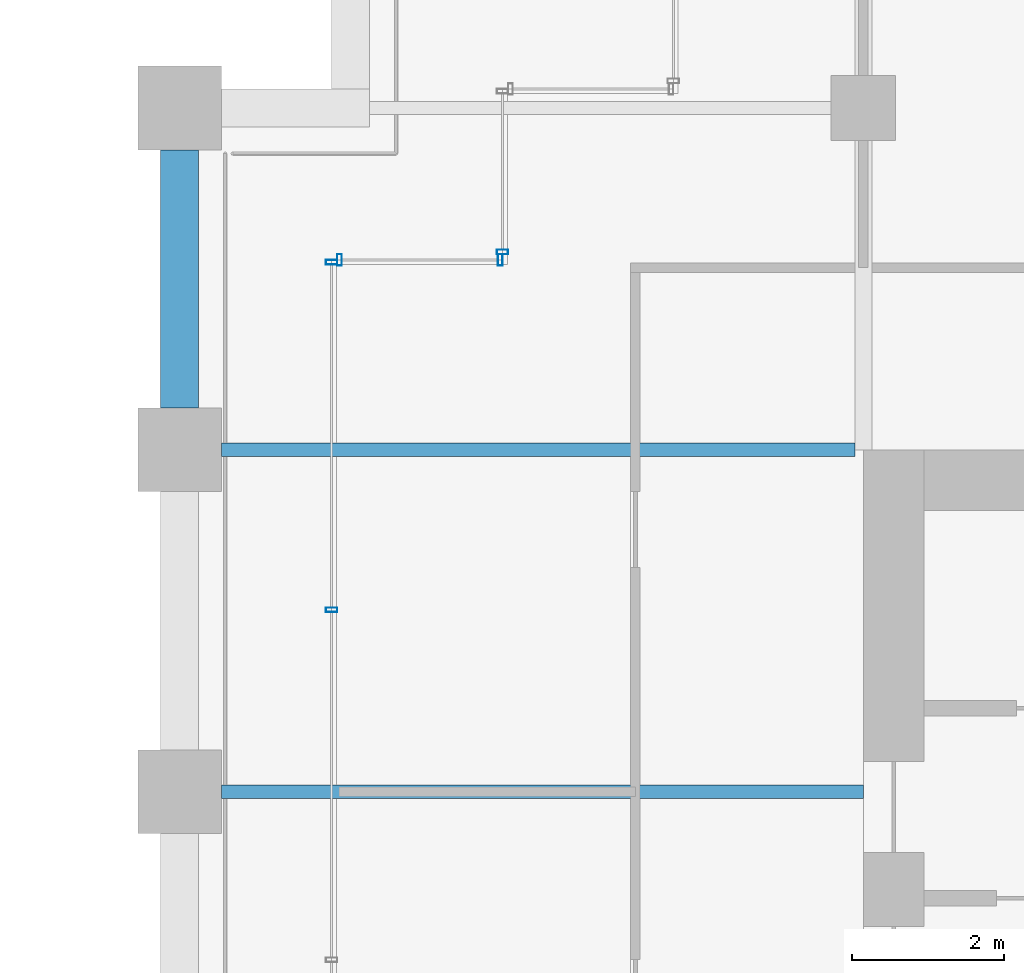
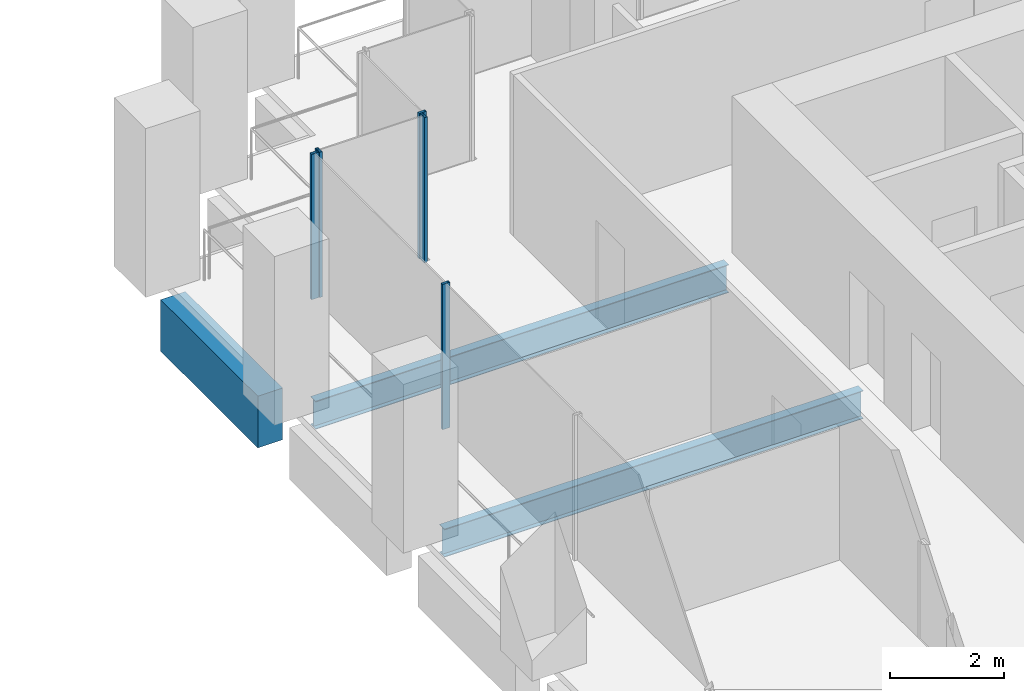
# One storey, part 40 of 56: 5 members, 3 beams, 3 elements without a shape of their own.
"""IFC4 building model written with IfcOpenShell, lengths in metres."""

from ifc_helpers import new_model, si_unit, direction, frame, origin, origin_2d, place, context, subcontext, project, spatial, rectangle, hollow_rectangle, i_section, extrude, material, material_profile, profile_set, type_object, element, aggregate, save


model = new_model("IFC4")

# Units and contexts
model_context = context("Model", 3, precision=1e-05, world=origin(), true_north=direction((0.0, 1.0)))
body_context = subcontext(model_context, "Body", "Model", "MODEL_VIEW")
ifc_project = project(units=[si_unit("LENGTHUNIT", "METRE"), si_unit("AREAUNIT", "SQUARE_METRE"), si_unit("VOLUMEUNIT", "CUBIC_METRE"), si_unit("PLANEANGLEUNIT", "RADIAN"), si_unit("MASSUNIT", "GRAM", prefix="KILO")], contexts=[model_context])

# Site, building, storey
site_placement = place(None, origin())
site = spatial("IfcSite", under=ifc_project, at=site_placement, CompositionType="ELEMENT")
building_placement = place(site_placement, origin())
building = spatial("IfcBuilding", under=site, at=building_placement, Name="Altepetl Exchange Towers", CompositionType="ELEMENT")
storey_placement = place(building_placement, frame((0.0, 0.0, 72.60009765625)))
storey = spatial("IfcBuildingStorey", under=building, at=storey_placement, Name="L17", CompositionType="ELEMENT", Elevation=72.60009765625)

# Beams
ifc_material_1 = material(Name="Steel S355", Category="steel")
ifc_material_profile_1 = material_profile(ifc_material_1, i_section(OverallWidth=0.177978515625, OverallDepth=0.59912109375, WebThickness=0.010009765625, FlangeThickness=0.0126953125, at=origin_2d()), Name="W24X55")
ifc_profile_set_1 = profile_set([ifc_material_profile_1], Name="Steel S355")
beam_type_1 = type_object("IfcBeamType", Name="Floor beam W24X55", PredefinedType="BEAM", material=ifc_profile_set_1)
beam_1_placement = place(storey_placement, frame((95.050048828125, 45.0, -0.44970703125), z_axis=(1.0, 0.0, 0.0), x_axis=(0.0, 1.0, 0.0)))
element("IfcBeam", 1, at=beam_1_placement, inside=storey, type_object=beam_type_1, Name="bm:B:L17:013", PredefinedType="BEAM", context=body_context, shape_type="SweptSolid", body=[
    extrude(i_section(OverallWidth=0.177978515625, OverallDepth=0.59912109375, WebThickness=0.010009765625, FlangeThickness=0.0126953125, at=origin_2d()), origin(), (0.0, 0.0, 1.0), 8.449951171875),
])
beam_2_placement = place(storey_placement, frame((95.050048828125, 49.5, -0.44970703125), z_axis=(1.0, 0.0, 0.0), x_axis=(0.0, 1.0, 0.0)))
element("IfcBeam", 2, at=beam_2_placement, inside=storey, type_object=beam_type_1, Name="bm:B:L17:014", PredefinedType="BEAM", context=body_context, shape_type="SweptSolid", body=[
    extrude(i_section(OverallWidth=0.177978515625, OverallDepth=0.59912109375, WebThickness=0.010009765625, FlangeThickness=0.0126953125, at=origin_2d()), origin(), (0.0, 0.0, 1.0), 8.3359375),
])

# Curtain wall, members
ifc_material_2 = material(Name="Aluminium 6063-T6 glazing", Category="aluminium")
curtain_wall_type = type_object("IfcCurtainWallType", Name="Loggia glazing system", PredefinedType="NOTDEFINED", material=ifc_material_2)
curtain_wall_1_placement = place(storey_placement, origin())
curtain_wall_1 = element("IfcCurtainWall", 3, at=curtain_wall_1_placement, inside=storey, type_object=curtain_wall_type, Name="CW1 run", PredefinedType="NOTDEFINED")
ifc_material_3 = material(Name="Aluminium 6063-T6", Category="aluminium")
ifc_material_profile_2 = material_profile(ifc_material_3, hollow_rectangle(XDim=0.06005859375, YDim=0.14990234375, WallThickness=0.0029296875, at=origin_2d()), Name="Mullion 60x150 aluminium")
ifc_profile_set_2 = profile_set([ifc_material_profile_2], Name="Aluminium 6063-T6")
member_type = type_object("IfcMemberType", Name="Mullion 60x150 aluminium", PredefinedType="MULLION", material=ifc_profile_set_2)
member_1_placement = place(storey_placement, frame((98.719970703125, 52.0, 0.0), z_axis=(0.0, 0.0, 1.0), x_axis=(-1.0, 0.0, 0.0)))
member_1 = element("IfcMember", 4, at=member_1_placement, type_object=member_type, Name="MU1 mullion", PredefinedType="MULLION", context=body_context, shape_type="SweptSolid", body=[
    extrude(hollow_rectangle(XDim=0.06005859375, YDim=0.14990234375, WallThickness=0.0029296875, at=origin_2d()), origin(), (0.0, 0.0, 1.0), 3.099853515625),
])
member_2_placement = place(storey_placement, frame((96.60498046875, 52.0, 0.0), z_axis=(0.0, 0.0, 1.0), x_axis=(-1.0, 0.0, 0.0)))
member_2 = element("IfcMember", 5, at=member_2_placement, type_object=member_type, Name="MU1 mullion", PredefinedType="MULLION", context=body_context, shape_type="SweptSolid", body=[
    extrude(hollow_rectangle(XDim=0.06005859375, YDim=0.14990234375, WallThickness=0.0029296875, at=origin_2d()), origin(), (0.0, 0.0, 1.0), 3.099853515625),
])
aggregate(curtain_wall_1, [member_1, member_2])

curtain_wall_2_placement = place(storey_placement, origin())
curtain_wall_2 = element("IfcCurtainWall", 6, at=curtain_wall_2_placement, inside=storey, type_object=curtain_wall_type, Name="CW1 run", PredefinedType="NOTDEFINED")
member_3_placement = place(storey_placement, frame((96.5, 51.969970703125, 0.0), z_axis=(0.0, 0.0, 1.0), x_axis=(0.0, -1.0, 0.0)))
member_3 = element("IfcMember", 7, at=member_3_placement, type_object=member_type, Name="MU1 mullion", PredefinedType="MULLION", context=body_context, shape_type="SweptSolid", body=[
    extrude(hollow_rectangle(XDim=0.06005859375, YDim=0.14990234375, WallThickness=0.0029296875, at=origin_2d()), origin(), (0.0, 0.0, 1.0), 3.099853515625),
])
member_4_placement = place(storey_placement, frame((96.5, 47.393798828125, 0.0), z_axis=(0.0, 0.0, 1.0), x_axis=(0.0, -1.0, 0.0)))
member_4 = element("IfcMember", 8, at=member_4_placement, type_object=member_type, Name="MU1 mullion", PredefinedType="MULLION", context=body_context, shape_type="SweptSolid", body=[
    extrude(hollow_rectangle(XDim=0.06005859375, YDim=0.14990234375, WallThickness=0.0029296875, at=origin_2d()), origin(), (0.0, 0.0, 1.0), 3.099853515625),
])
aggregate(curtain_wall_2, [member_3, member_4])

# Curtain wall, member
curtain_wall_3_placement = place(storey_placement, origin())
curtain_wall_3 = element("IfcCurtainWall", 9, at=curtain_wall_3_placement, inside=storey, type_object=curtain_wall_type, Name="CW1 run", PredefinedType="NOTDEFINED")
member_5_placement = place(storey_placement, frame((98.75, 52.10498046875, 0.0), z_axis=(0.0, 0.0, 1.0), x_axis=(0.0, -1.0, 0.0)))
member_5 = element("IfcMember", 10, at=member_5_placement, type_object=member_type, Name="MU1 mullion", PredefinedType="MULLION", context=body_context, shape_type="SweptSolid", body=[
    extrude(hollow_rectangle(XDim=0.06005859375, YDim=0.14990234375, WallThickness=0.0029296875, at=origin_2d()), origin(), (0.0, 0.0, 1.0), 3.099853515625),
])
aggregate(curtain_wall_3, [member_5])

# Beam
ifc_material_4 = material(Name="Concrete C50/60 precast with cantera rosa facing", Category="concrete")
ifc_material_profile_3 = material_profile(ifc_material_4, rectangle(XDim=0.5, YDim=1.10009765625, at=origin_2d()), Name="500 x 1100")
ifc_profile_set_3 = profile_set([ifc_material_profile_3], Name="Concrete C50/60 precast with cantera rosa facing")
beam_type_2 = type_object("IfcBeamType", Name="Spandrel beam 500x1100 cantera rosa", PredefinedType="SPANDREL", material=ifc_profile_set_3)
beam_3_placement = place(storey_placement, frame((94.5, 53.449951171875, -0.7001953125), z_axis=(0.0, -1.0, 0.0), x_axis=(1.0, 0.0, 0.0)))
element("IfcBeam", 11, at=beam_3_placement, inside=storey, type_object=beam_type_2, Name="sp:B:L17:027", PredefinedType="SPANDREL", context=body_context, shape_type="SweptSolid", body=[
    extrude(rectangle(XDim=0.5, YDim=1.10009765625, at=origin_2d()), origin(), (0.0, 0.0, 1.0), 3.39990234375),
])

save(model, "model.ifc")
